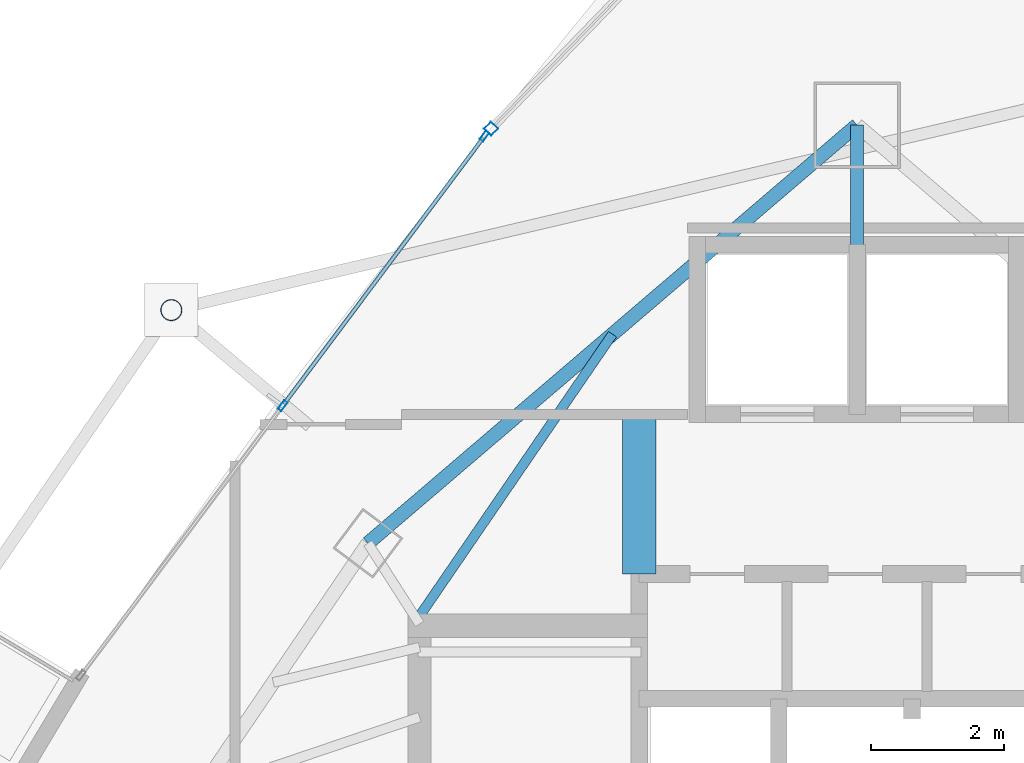
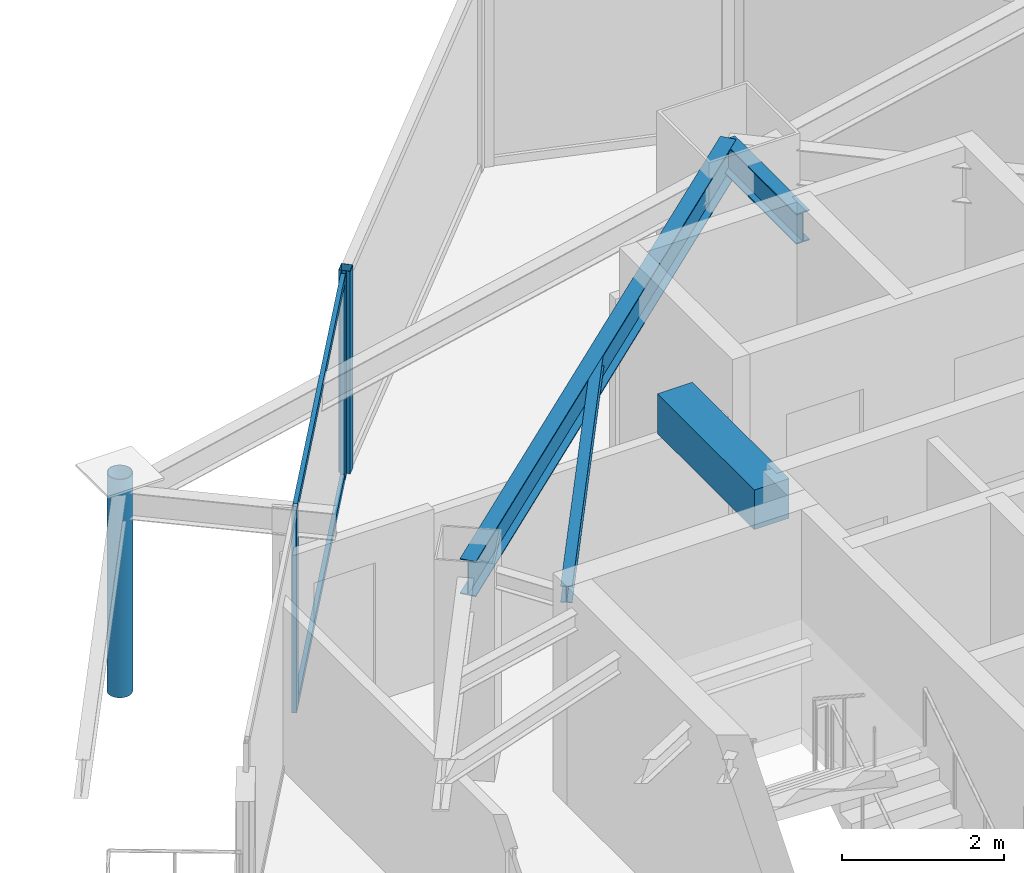
# One storey, part 23 of 33: 6 members, 4 beams, 2 elements without a shape of their own.
"""IFC4 building model written with IfcOpenShell, lengths in metres."""

from ifc_helpers import new_model, si_unit, direction, frame, origin, origin_2d, place, context, subcontext, project, spatial, rectangle, hollow_rectangle, hollow_circle, i_section, extrude, material, layer, layer_set, material_profile, profile_set, type_object, element, aggregate, save


model = new_model("IFC4")

# Units and contexts
model_context = context("Model", 3, precision=1e-05, world=origin(), true_north=direction((0.0, 1.0)))
body_context = subcontext(model_context, "Body", "Model", "MODEL_VIEW")
ifc_project = project(units=[si_unit("LENGTHUNIT", "METRE"), si_unit("AREAUNIT", "SQUARE_METRE"), si_unit("VOLUMEUNIT", "CUBIC_METRE"), si_unit("PLANEANGLEUNIT", "RADIAN"), si_unit("MASSUNIT", "GRAM", prefix="KILO")], contexts=[model_context])

# Site, building, storey
site_placement = place(None, origin())
site = spatial("IfcSite", under=ifc_project, at=site_placement, CompositionType="ELEMENT")
building_placement = place(site_placement, origin())
building = spatial("IfcBuilding", under=site, at=building_placement, Name="Orvanel Arch Residences", CompositionType="ELEMENT")
storey_placement = place(building_placement, frame((0.0, 0.0, 212.89990234375)))
storey = spatial("IfcBuildingStorey", under=building, at=storey_placement, Name="L60", CompositionType="ELEMENT", Elevation=212.89990234375)

# Beams
ifc_material_1 = material(Name="Structural steel AS/NZS 3679.1 Grade 300 (300 MPa)", Category="steel")
ifc_material_profile_1 = material_profile(ifc_material_1, i_section(OverallWidth=0.19091796875, OverallDepth=0.4599609375, WebThickness=0.010009765625, FlangeThickness=0.01611328125, at=origin_2d()), Name="460UB82.1")
ifc_profile_set_1 = profile_set([ifc_material_profile_1], Name="Structural steel AS/NZS 3679.1 Grade 300 (300 MPa)")
beam_type_1 = type_object("IfcBeamType", Name="BG-460UB", PredefinedType="BEAM", material=ifc_profile_set_1)
beam_1_placement = place(storey_placement, frame((33.0, 39.550048828125, 2.830078125), z_axis=(0.0, 1.0, 0.0), x_axis=(-1.0, 0.0, 0.0)))
element("IfcBeam", 1, at=beam_1_placement, inside=storey, type_object=beam_type_1, Name="L60 North Radial Girder", PredefinedType="BEAM", context=body_context, shape_type="SweptSolid", body=[
    extrude(i_section(OverallWidth=0.19091796875, OverallDepth=0.4599609375, WebThickness=0.010009765625, FlangeThickness=0.01611328125, at=origin_2d()), origin(), (0.0, 0.0, 1.0), 1.847900390625),
])
ifc_material_profile_2 = material_profile(ifc_material_1, i_section(OverallWidth=0.14599609375, OverallDepth=0.251953125, WebThickness=0.006103515625, FlangeThickness=0.008544921875, at=origin_2d()), Name="250UB31.4")
ifc_profile_set_2 = profile_set([ifc_material_profile_2], Name="Structural steel AS/NZS 3679.1 Grade 300 (300 MPa)")
beam_type_2 = type_object("IfcBeamType", Name="BJ-250UB", PredefinedType="JOIST", material=ifc_profile_set_2)
beam_2_placement = place(storey_placement, frame((26.425048828125, 34.02001953125, 2.93408203125), z_axis=(0.564868085352, 0.825181220188, 0.0), x_axis=(-0.825181220188, 0.564868085352, 0.0)))
element("IfcBeam", 2, at=beam_2_placement, inside=storey, type_object=beam_type_2, Name="L60 NNW2 Wing Floor Joist", PredefinedType="JOIST", context=body_context, shape_type="SweptSolid", body=[
    extrude(i_section(OverallWidth=0.14599609375, OverallDepth=0.251953125, WebThickness=0.006103515625, FlangeThickness=0.008544921875, at=origin_2d()), origin(), (0.0, 0.0, 1.0), 5.132080078125),
])
ifc_material_2 = material(Name="Concrete S65 (65 MPa)", Category="concrete")
ifc_material_profile_3 = material_profile(ifc_material_2, rectangle(XDim=0.5, YDim=0.60009765625, at=origin_2d()), Name="RC500x600")
ifc_profile_set_3 = profile_set([ifc_material_profile_3], Name="Concrete S65 (65 MPa)")
beam_type_3 = type_object("IfcBeamType", Name="CB-500x600", PredefinedType="LINTEL", material=ifc_profile_set_3)
beam_3_placement = place(storey_placement, frame((29.72509765625, 34.64990234375, 2.760009765625), z_axis=(0.0, 1.0, 0.0), x_axis=(-1.0, 0.0, 0.0)))
element("IfcBeam", 3, at=beam_3_placement, inside=storey, type_object=beam_type_3, Name="L60 West Core Lobby Coupling Lintel Beam", PredefinedType="LINTEL", context=body_context, shape_type="SweptSolid", body=[
    extrude(rectangle(XDim=0.5, YDim=0.60009765625, at=origin_2d()), origin(), (0.0, 0.0, 1.0), 2.400146484375),
])

# Curtain wall, member
ifc_material_3 = material(Name="Bronze-anodised aluminium AA6063-T6", Category="aluminium")
ifc_layer_1 = layer(ifc_material_3, 0.18994140625)
ifc_layer_set_1 = layer_set([ifc_layer_1], Name="Bronze-anodised aluminium AA6063-T6")
curtain_wall_type_1 = type_object("IfcCurtainWallType", Name="CW5-CRN-SYS", PredefinedType="NOTDEFINED", material=ifc_layer_set_1)
curtain_wall_1_placement = place(storey_placement, origin())
curtain_wall_1 = element("IfcCurtainWall", 4, at=curtain_wall_1_placement, inside=storey, type_object=curtain_wall_type_1, Name="L60 CW5-CRN-SYS Unitised Curtain Wall", PredefinedType="NOTDEFINED")
ifc_material_profile_4 = material_profile(ifc_material_3, hollow_rectangle(XDim=0.14990234375, YDim=0.14990234375, WallThickness=0.0048828125, at=origin_2d()), Name="ALU150x150x5")
ifc_profile_set_4 = profile_set([ifc_material_profile_4], Name="Bronze-anodised aluminium AA6063-T6")
member_type_1 = type_object("IfcMemberType", Name="MUL-150x150", PredefinedType="MULLION", material=ifc_profile_set_4)
member_1_placement = place(storey_placement, frame((27.498291015625, 41.3427734375, 0.0), z_axis=(0.0, 0.0, 1.0), x_axis=(0.718044101209, -0.695997606834, 0.0)))
member_1 = element("IfcMember", 5, at=member_1_placement, type_object=member_type_1, Name="CW-S5 mullion 2", PredefinedType="MULLION", context=body_context, shape_type="SweptSolid", body=[
    extrude(hollow_rectangle(XDim=0.14990234375, YDim=0.14990234375, WallThickness=0.0048828125, at=origin_2d()), origin(), (0.0, 0.0, 1.0), 3.06005859375),
])
aggregate(curtain_wall_1, [member_1])

# Curtain wall, members
ifc_layer_2 = layer(ifc_material_3, 0.175048828125)
ifc_layer_set_2 = layer_set([ifc_layer_2], Name="Bronze-anodised aluminium AA6063-T6")
curtain_wall_type_2 = type_object("IfcCurtainWallType", Name="CW4-HI-SYS", PredefinedType="NOTDEFINED", material=ifc_layer_set_2)
curtain_wall_2_placement = place(storey_placement, origin())
curtain_wall_2 = element("IfcCurtainWall", 6, at=curtain_wall_2_placement, inside=storey, type_object=curtain_wall_type_2, Name="L60 CW4-HI-SYS Unitised Curtain Wall", PredefinedType="NOTDEFINED")
ifc_material_profile_5 = material_profile(ifc_material_3, hollow_rectangle(XDim=0.06494140625, YDim=0.159912109375, WallThickness=0.00390625, at=origin_2d()), Name="ALU160x65x4")
ifc_profile_set_5 = profile_set([ifc_material_profile_5], Name="Bronze-anodised aluminium AA6063-T6")
member_type_2 = type_object("IfcMemberType", Name="MUL-160x65", PredefinedType="MULLION", material=ifc_profile_set_5)
member_2_placement = place(storey_placement, frame((27.400634765625, 41.23291015625, 0.0), z_axis=(0.0, 0.0, 1.0), x_axis=(0.800635505282, -0.599151723424, 0.0)))
member_2 = element("IfcMember", 7, at=member_2_placement, type_object=member_type_2, Name="CW-S4 mullion 1", PredefinedType="MULLION", context=body_context, shape_type="SweptSolid", body=[
    extrude(hollow_rectangle(XDim=0.06494140625, YDim=0.159912109375, WallThickness=0.00390625, at=origin_2d()), origin(), (0.0, 0.0, 1.0), 3.06005859375),
])
member_3_placement = place(storey_placement, frame((24.367431640625, 37.179931640625, 0.0), z_axis=(0.0, 0.0, 1.0), x_axis=(0.800635505282, -0.599151723424, 0.0)))
member_3 = element("IfcMember", 8, at=member_3_placement, type_object=member_type_2, Name="CW-S4 mullion 2", PredefinedType="MULLION", context=body_context, shape_type="SweptSolid", body=[
    extrude(hollow_rectangle(XDim=0.06494140625, YDim=0.159912109375, WallThickness=0.00390625, at=origin_2d()), origin(), (0.0, 0.0, 1.0), 3.06005859375),
])

# Beam
ifc_material_profile_6 = material_profile(ifc_material_1, i_section(OverallWidth=0.208984375, OverallDepth=0.532958984375, WebThickness=0.01025390625, FlangeThickness=0.015625, at=origin_2d()), Name="530UB92.4")
ifc_profile_set_6 = profile_set([ifc_material_profile_6], Name="Structural steel AS/NZS 3679.1 Grade 300 (300 MPa)")
beam_type_4 = type_object("IfcBeamType", Name="SP-530UB", PredefinedType="SPANDREL", material=ifc_profile_set_6)
beam_4_placement = place(storey_placement, frame((33.0, 41.39794921875, 2.794189453125), z_axis=(-0.760116518398, -0.649786794617, 0.0), x_axis=(0.649786794617, -0.760116518398, 0.0)))
element("IfcBeam", 9, at=beam_4_placement, inside=storey, type_object=beam_type_4, Name="L60 Perimeter Spandrel Beam 10", PredefinedType="SPANDREL", context=body_context, shape_type="SweptSolid", body=[
    extrude(i_section(OverallWidth=0.208984375, OverallDepth=0.532958984375, WebThickness=0.01025390625, FlangeThickness=0.015625, at=origin_2d()), origin(), (0.0, 0.0, 1.0), 9.67236328125),
])

# Member
ifc_material_4 = material(Name="Structural steel AS/NZS 1163 C350L0 (Grade 350)", Category="steel")
ifc_material_profile_7 = material_profile(ifc_material_4, hollow_circle(Radius=0.162109375, WallThickness=0.0126953125, at=origin_2d()), Name="CHS324x12.7")
ifc_profile_set_7 = profile_set([ifc_material_profile_7], Name="Structural steel AS/NZS 1163 C350L0 (Grade 350)")
member_type_3 = type_object("IfcMemberType", Name="ST-324CHS-EXT", PredefinedType="STRUT", material=ifc_profile_set_7)
member_4_placement = place(storey_placement, frame((22.694091796875, 38.616943359375, 0.0), z_axis=(0.0, 0.0, 1.0), x_axis=(1.0, 0.0, 0.0)))
element("IfcMember", 10, at=member_4_placement, inside=storey, type_object=member_type_3, Name="L60 Outer Perimeter Frame Post 01", PredefinedType="STRUT", context=body_context, shape_type="SweptSolid", body=[
    extrude(hollow_circle(Radius=0.162109375, WallThickness=0.0126953125, at=origin_2d()), origin(), (0.0, 0.0, 1.0), 3.300048828125),
])

ifc_material_profile_8 = material_profile(ifc_material_3, hollow_rectangle(XDim=0.06005859375, YDim=0.1201171875, WallThickness=0.00341796875, at=origin_2d()), Name="ALU120x60x3.5")
ifc_profile_set_8 = profile_set([ifc_material_profile_8], Name="Bronze-anodised aluminium AA6063-T6")
member_type_4 = type_object("IfcMemberType", Name="TRN-120x60", PredefinedType="USERDEFINED", material=ifc_profile_set_8)
member_5_placement = place(storey_placement, frame((27.381103515625, 41.20703125, 0.030029296875), z_axis=(-0.599155454717, -0.800632712973, 0.0), x_axis=(0.800632712973, -0.599155454717, 0.0)))
member_5 = element("IfcMember", 11, at=member_5_placement, type_object=member_type_4, Name="CW-S4 transom 1.1", ObjectType="TRANSOM", PredefinedType="USERDEFINED", context=body_context, shape_type="SweptSolid", body=[
    extrude(hollow_rectangle(XDim=0.06005859375, YDim=0.1201171875, WallThickness=0.00341796875, at=origin_2d()), origin(), (0.0, 0.0, 1.0), 4.997314453125),
])

member_6_placement = place(storey_placement, frame((27.381103515625, 41.20703125, 3.030029296875), z_axis=(-0.599155454717, -0.800632712973, 0.0), x_axis=(0.800632712973, -0.599155454717, 0.0)))
member_6 = element("IfcMember", 12, at=member_6_placement, type_object=member_type_4, Name="CW-S4 transom 1.2", ObjectType="TRANSOM", PredefinedType="USERDEFINED", context=body_context, shape_type="SweptSolid", body=[
    extrude(hollow_rectangle(XDim=0.06005859375, YDim=0.1201171875, WallThickness=0.00341796875, at=origin_2d()), origin(), (0.0, 0.0, 1.0), 4.997314453125),
])

aggregate(curtain_wall_2, [member_2, member_3, member_5, member_6])

save(model, "model.ifc")
